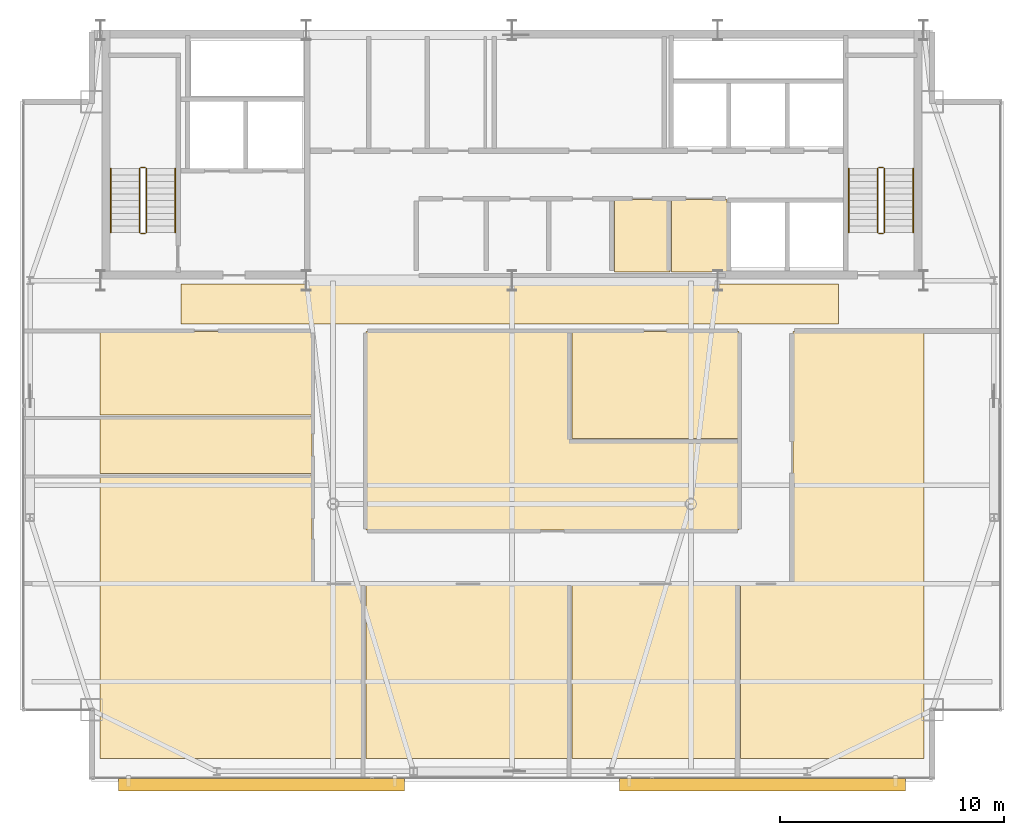
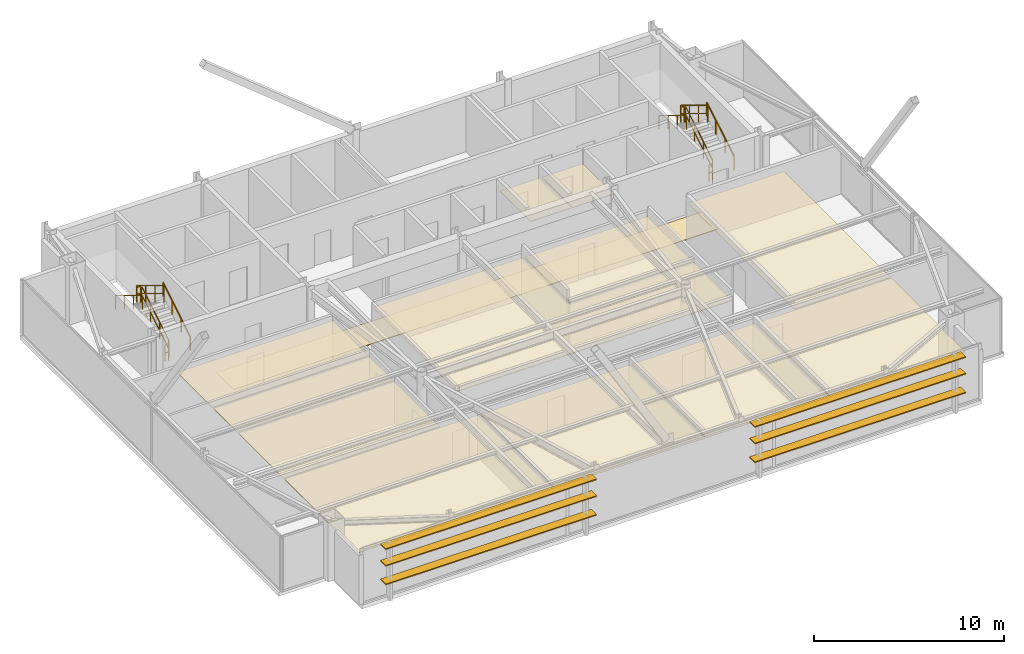
# One storey, part 24 of 24: 13 coverings, 12 railings, 6 shading devices.
"""IFC4 building model written with IfcOpenShell, lengths in metres."""

from ifc_helpers import new_model, si_unit, direction, frame, origin, origin_2d, place, context, subcontext, project, spatial, polyline, rectangle, outline, extrude, source, transform, mapped, material, layer, layer_set, type_object, type_shapes, element, save


model = new_model("IFC4")

# Units and contexts
model_context = context("Model", 3, precision=1e-05, world=origin(), true_north=direction((0.0, 1.0)))
body_context = subcontext(model_context, "Body", "Model", "MODEL_VIEW")
ifc_project = project(units=[si_unit("LENGTHUNIT", "METRE"), si_unit("AREAUNIT", "SQUARE_METRE"), si_unit("VOLUMEUNIT", "CUBIC_METRE"), si_unit("PLANEANGLEUNIT", "RADIAN"), si_unit("MASSUNIT", "GRAM", prefix="KILO")], contexts=[model_context])

# Site, building, storey
site_placement = place(None, origin())
site = spatial("IfcSite", under=ifc_project, at=site_placement, CompositionType="ELEMENT")
building_placement = place(site_placement, origin())
building = spatial("IfcBuilding", under=site, at=building_placement, Name="Varnel Quay Broadcast Tower", CompositionType="ELEMENT")
storey_placement = place(building_placement, frame((0.0, 0.0, 262.199951171875)))
storey = spatial("IfcBuildingStorey", under=building, at=storey_placement, Name="L65", CompositionType="ELEMENT", Elevation=262.199951171875)

# Coverings
ifc_material_1 = material(Name="Micro-Perforated Acoustic Ceiling Tile")
ifc_layer_1 = layer(ifc_material_1, 0.0400390625, Name="Micro-Perforated Acoustic Ceiling Tile")
ifc_layer_set_1 = layer_set([ifc_layer_1], Name="Micro-Perforated Acoustic Ceiling Tile")
covering_type_1 = type_object("IfcCoveringType", Name="Cov_AcousticCeiling", PredefinedType="CEILING", material=ifc_layer_set_1)
covering_1_placement = place(storey_placement, frame((0.0, 0.0, 2.580078125)))
element("IfcCovering", 1, at=covering_1_placement, inside=storey, type_object=covering_type_1, Name="L65 Cleaners' & Linen Store Acoustic Ceiling", PredefinedType="CEILING", context=body_context, shape_type="SweptSolid", body=[
    extrude(outline(polyline([(38.5849609375, 35.985107421875), (41.06494140625, 35.985107421875), (41.06494140625, 39.215087890625), (38.5849609375, 39.215087890625), (38.5849609375, 35.985107421875)])), origin(), (0.0, 0.0, 1.0), 0.0400390625),
])
covering_2_placement = place(storey_placement, frame((0.0, 0.0, 2.580078125)))
element("IfcCovering", 2, at=covering_2_placement, inside=storey, type_object=covering_type_1, Name="L65 Telecom IDF Closet Acoustic Ceiling", PredefinedType="CEILING", context=body_context, shape_type="SweptSolid", body=[
    extrude(outline(polyline([(41.135009765625, 35.985107421875), (43.614990234375, 35.985107421875), (43.614990234375, 39.215087890625), (41.135009765625, 39.215087890625), (41.135009765625, 35.985107421875)])), origin(), (0.0, 0.0, 1.0), 0.0400390625),
])
covering_3_placement = place(storey_placement, frame((0.0, 0.0, 2.580078125)))
element("IfcCovering", 3, at=covering_3_placement, inside=storey, type_object=covering_type_1, Name="L65 Press Briefing Room 1 Acoustic Ceiling", PredefinedType="CEILING", context=body_context, shape_type="SweptSolid", body=[
    extrude(outline(polyline([(15.5849609375, 14.22509765625), (27.405029296875, 14.22509765625), (27.405029296875, 22.014892578125), (15.5849609375, 22.014892578125), (15.5849609375, 14.22509765625)])), origin(), (0.0, 0.0, 1.0), 0.0400390625),
])
covering_4_placement = place(storey_placement, frame((0.0, 0.0, 2.580078125)))
element("IfcCovering", 4, at=covering_4_placement, inside=storey, type_object=covering_type_1, Name="L65 Editorial Huddle Room 2 Acoustic Ceiling", PredefinedType="CEILING", context=body_context, shape_type="SweptSolid", body=[
    extrude(outline(polyline([(27.47509765625, 14.22509765625), (36.60498046875, 14.22509765625), (36.60498046875, 22.014892578125), (27.47509765625, 22.014892578125), (27.47509765625, 14.22509765625)])), origin(), (0.0, 0.0, 1.0), 0.0400390625),
])
covering_5_placement = place(storey_placement, frame((0.0, 0.0, 2.580078125)))
element("IfcCovering", 5, at=covering_5_placement, inside=storey, type_object=covering_type_1, Name="L65 Journalism Training Studio 3 Acoustic Ceiling", PredefinedType="CEILING", context=body_context, shape_type="SweptSolid", body=[
    extrude(outline(polyline([(36.675048828125, 14.22509765625), (44.14501953125, 14.22509765625), (44.14501953125, 22.014892578125), (36.675048828125, 22.014892578125), (36.675048828125, 14.22509765625)])), origin(), (0.0, 0.0, 1.0), 0.0400390625),
])
covering_6_placement = place(storey_placement, frame((0.0, 0.0, 2.580078125)))
element("IfcCovering", 6, at=covering_6_placement, inside=storey, type_object=covering_type_1, Name="L65 Catering Kitchen 4 Acoustic Ceiling", PredefinedType="CEILING", context=body_context, shape_type="SweptSolid", body=[
    extrude(outline(polyline([(44.215087890625, 14.22509765625), (52.4150390625, 14.22509765625), (52.4150390625, 22.014892578125), (44.215087890625, 22.014892578125), (44.215087890625, 14.22509765625)])), origin(), (0.0, 0.0, 1.0), 0.0400390625),
])
covering_7_placement = place(storey_placement, frame((0.0, 0.0, 2.580078125)))
element("IfcCovering", 7, at=covering_7_placement, inside=storey, type_object=covering_type_1, Name="L65 Bureau Office 5 Acoustic Ceiling", PredefinedType="CEILING", context=body_context, shape_type="SweptSolid", body=[
    extrude(outline(polyline([(15.5849609375, 22.0849609375), (25.054931640625, 22.0849609375), (25.054931640625, 26.905029296875), (15.5849609375, 26.905029296875), (15.5849609375, 22.0849609375)])), origin(), (0.0, 0.0, 1.0), 0.0400390625),
])
covering_8_placement = place(storey_placement, frame((0.0, 0.0, 2.580078125)))
element("IfcCovering", 8, at=covering_8_placement, inside=storey, type_object=covering_type_1, Name="L65 Reading Lounge 6 Acoustic Ceiling", PredefinedType="CEILING", context=body_context, shape_type="SweptSolid", body=[
    extrude(outline(polyline([(15.5849609375, 26.97509765625), (25.054931640625, 26.97509765625), (25.054931640625, 29.514892578125), (15.5849609375, 29.514892578125), (15.5849609375, 26.97509765625)])), origin(), (0.0, 0.0, 1.0), 0.0400390625),
])
covering_9_placement = place(storey_placement, frame((0.0, 0.0, 2.580078125)))
element("IfcCovering", 9, at=covering_9_placement, inside=storey, type_object=covering_type_1, Name="L65 Broadcast Seminar Room 7 Acoustic Ceiling", PredefinedType="CEILING", context=body_context, shape_type="SweptSolid", body=[
    extrude(outline(polyline([(15.5849609375, 29.5849609375), (25.054931640625, 29.5849609375), (25.054931640625, 33.31494140625), (15.5849609375, 33.31494140625), (15.5849609375, 29.5849609375)])), origin(), (0.0, 0.0, 1.0), 0.0400390625),
])
covering_10_placement = place(storey_placement, frame((0.0, 0.0, 2.580078125)))
element("IfcCovering", 10, at=covering_10_placement, inside=storey, type_object=covering_type_1, Name="L65 Editorial Huddle Room 8 Acoustic Ceiling", PredefinedType="CEILING", context=body_context, shape_type="SweptSolid", body=[
    extrude(outline(polyline([(27.47509765625, 24.43505859375), (44.14501953125, 24.43505859375), (44.14501953125, 28.465087890625), (36.60498046875, 28.465087890625), (36.60498046875, 33.31494140625), (27.47509765625, 33.31494140625), (27.47509765625, 24.43505859375)])), origin(), (0.0, 0.0, 1.0), 0.0400390625),
])
covering_11_placement = place(storey_placement, frame((0.0, 0.0, 2.580078125)))
element("IfcCovering", 11, at=covering_11_placement, inside=storey, type_object=covering_type_1, Name="L65 Reading Lounge 9 Acoustic Ceiling", PredefinedType="CEILING", context=body_context, shape_type="SweptSolid", body=[
    extrude(outline(polyline([(36.675048828125, 28.534912109375), (44.14501953125, 28.534912109375), (44.14501953125, 33.31494140625), (36.675048828125, 33.31494140625), (36.675048828125, 28.534912109375)])), origin(), (0.0, 0.0, 1.0), 0.0400390625),
])
covering_12_placement = place(storey_placement, frame((0.0, 0.0, 2.580078125)))
element("IfcCovering", 12, at=covering_12_placement, inside=storey, type_object=covering_type_1, Name="L65 Journalism Training Studio 10 Acoustic Ceiling", PredefinedType="CEILING", context=body_context, shape_type="SweptSolid", body=[
    extrude(outline(polyline([(46.56494140625, 22.0849609375), (52.4150390625, 22.0849609375), (52.4150390625, 33.31494140625), (46.56494140625, 33.31494140625), (46.56494140625, 22.0849609375)])), origin(), (0.0, 0.0, 1.0), 0.0400390625),
])
ifc_material_2 = material(Name="Polished Terrazzo & Broadcast Raised Flooring")
ifc_layer_2 = layer(ifc_material_2, 0.0400390625, Name="Polished Terrazzo & Broadcast Raised Flooring")
ifc_layer_set_2 = layer_set([ifc_layer_2], Name="Polished Terrazzo & Broadcast Raised Flooring")
covering_type_2 = type_object("IfcCoveringType", Name="Cov_TerrazzoFloor", PredefinedType="FLOORING", material=ifc_layer_set_2)
covering_13_placement = place(storey_placement, origin())
element("IfcCovering", 13, at=covering_13_placement, inside=storey, type_object=covering_type_2, Name="L65 Corridor Terrazzo Flooring", PredefinedType="FLOORING", context=body_context, shape_type="SweptSolid", body=[
    extrude(outline(polyline([(19.199951171875, 33.64990234375), (48.60009765625, 33.64990234375), (48.60009765625, 35.449951171875), (19.199951171875, 35.449951171875), (19.199951171875, 33.64990234375)])), origin(), (0.0, 0.0, 1.0), 0.0400390625),
])

# Railings
ifc_material_3 = material(Name="Painted Steel Guard and Handrail CSA G40.21 350W", Category="steel")
railing_type_1 = type_object("IfcRailingType", Name="Rail_StairGuard1100", PredefinedType="GUARDRAIL", material=ifc_material_3)
railing_1_placement = place(storey_placement, frame((17.64990234375, 37.75, 0.1728515625)))
element("IfcRailing", 14, at=railing_1_placement, inside=storey, type_object=railing_type_1, Name="L65 ST-01 stair guard 1", PredefinedType="GUARDRAIL", context=body_context, shape_type="SweptSolid", body=[
    extrude(rectangle(XDim=0.048095703125, YDim=0.048095703125, at=origin_2d()), frame((0.0, 0.0, 1.076171875), z_axis=(0.0, 0.855202751398, 0.518293598264), x_axis=(-1.0, 0.0, 0.0)), (0.0, 0.0, 1.0), 3.332763671875),
    extrude(rectangle(XDim=0.048095703125, YDim=0.048095703125, at=origin_2d()), frame((0.0, 0.0, 0.550048828125), z_axis=(0.0, 0.855202751398, 0.518293598264), x_axis=(-1.0, 0.0, 0.0)), (0.0, 0.0, 1.0), 3.332763671875),
    extrude(rectangle(XDim=0.0419921875, YDim=0.0419921875, at=origin_2d()), origin(), (0.0, 0.0, 1.0), 1.052001953125),
    extrude(rectangle(XDim=0.0419921875, YDim=0.0419921875, at=origin_2d()), frame((0.0, 0.949951171875, 0.57568359375)), (0.0, 0.0, 1.0), 1.052001953125),
    extrude(rectangle(XDim=0.0419921875, YDim=0.0419921875, at=origin_2d()), frame((0.0, 1.900146484375, 1.151611328125)), (0.0, 0.0, 1.0), 1.052001953125),
    extrude(rectangle(XDim=0.0419921875, YDim=0.0419921875, at=origin_2d()), frame((0.0, 2.85009765625, 1.727294921875)), (0.0, 0.0, 1.0), 1.052001953125),
])
railing_2_placement = place(storey_placement, frame((17.60009765625, 40.64990234375, 1.900146484375)))
element("IfcRailing", 15, at=railing_2_placement, inside=storey, type_object=railing_type_1, Name="L65 ST-01 stair guard 2", PredefinedType="GUARDRAIL", context=body_context, shape_type="SweptSolid", body=[
    extrude(rectangle(XDim=0.048095703125, YDim=0.048095703125, at=origin_2d()), frame((0.0, 0.0, 1.076171875), z_axis=(-1.0, 0.0, 0.0), x_axis=(0.0, -1.0, 0.0)), (0.0, 0.0, 1.0), 0.2001953125),
    extrude(rectangle(XDim=0.048095703125, YDim=0.048095703125, at=origin_2d()), frame((0.0, 0.0, 0.550048828125), z_axis=(-1.0, 0.0, 0.0), x_axis=(0.0, -1.0, 0.0)), (0.0, 0.0, 1.0), 0.2001953125),
    extrude(rectangle(XDim=0.0419921875, YDim=0.0419921875, at=origin_2d()), origin(), (0.0, 0.0, 1.0), 1.052001953125),
    extrude(rectangle(XDim=0.0419921875, YDim=0.0419921875, at=origin_2d()), frame((-0.2001953125, 0.0, 0.0)), (0.0, 0.0, 1.0), 1.052001953125),
])
railing_3_placement = place(storey_placement, frame((17.35009765625, 40.60009765625, 2.07275390625)))
element("IfcRailing", 16, at=railing_3_placement, inside=storey, type_object=railing_type_1, Name="L65 ST-01 stair guard 3", PredefinedType="GUARDRAIL", context=body_context, shape_type="SweptSolid", body=[
    extrude(rectangle(XDim=0.048095703125, YDim=0.048095703125, at=origin_2d()), frame((0.0, 0.0, 1.076171875), z_axis=(0.0, -0.855202751398, 0.518293598264), x_axis=(1.0, 0.0, 0.0)), (0.0, 0.0, 1.0), 3.332763671875),
    extrude(rectangle(XDim=0.048095703125, YDim=0.048095703125, at=origin_2d()), frame((0.0, 0.0, 0.550048828125), z_axis=(0.0, -0.855202751398, 0.518293598264), x_axis=(1.0, 0.0, 0.0)), (0.0, 0.0, 1.0), 3.332763671875),
    extrude(rectangle(XDim=0.0419921875, YDim=0.0419921875, at=origin_2d()), origin(), (0.0, 0.0, 1.0), 1.052001953125),
    extrude(rectangle(XDim=0.0419921875, YDim=0.0419921875, at=origin_2d()), frame((0.0, -0.949951171875, 0.57568359375)), (0.0, 0.0, 1.0), 1.052001953125),
    extrude(rectangle(XDim=0.0419921875, YDim=0.0419921875, at=origin_2d()), frame((0.0, -1.900146484375, 1.151611328125)), (0.0, 0.0, 1.0), 1.052001953125),
    extrude(rectangle(XDim=0.0419921875, YDim=0.0419921875, at=origin_2d()), frame((0.0, -2.85009765625, 1.727294921875)), (0.0, 0.0, 1.0), 1.052001953125),
])
railing_4_placement = place(storey_placement, frame((17.60009765625, 37.699951171875, 0.0)))
element("IfcRailing", 17, at=railing_4_placement, inside=storey, type_object=railing_type_1, Name="L65 ST-01 stair guard 4", PredefinedType="GUARDRAIL", context=body_context, shape_type="SweptSolid", body=[
    extrude(rectangle(XDim=0.048095703125, YDim=0.048095703125, at=origin_2d()), frame((0.0, 0.0, 1.076171875), z_axis=(-1.0, 0.0, 0.0), x_axis=(0.0, -1.0, 0.0)), (0.0, 0.0, 1.0), 0.2001953125),
    extrude(rectangle(XDim=0.048095703125, YDim=0.048095703125, at=origin_2d()), frame((0.0, 0.0, 0.550048828125), z_axis=(-1.0, 0.0, 0.0), x_axis=(0.0, -1.0, 0.0)), (0.0, 0.0, 1.0), 0.2001953125),
    extrude(rectangle(XDim=0.0419921875, YDim=0.0419921875, at=origin_2d()), origin(), (0.0, 0.0, 1.0), 1.052001953125),
    extrude(rectangle(XDim=0.0419921875, YDim=0.0419921875, at=origin_2d()), frame((-0.2001953125, 0.0, 0.0)), (0.0, 0.0, 1.0), 1.052001953125),
])
railing_5_placement = place(storey_placement, frame((50.64990234375, 37.75, 0.1728515625)))
element("IfcRailing", 18, at=railing_5_placement, inside=storey, type_object=railing_type_1, Name="L65 ST-02 stair guard 1", PredefinedType="GUARDRAIL", context=body_context, shape_type="SweptSolid", body=[
    extrude(rectangle(XDim=0.048095703125, YDim=0.048095703125, at=origin_2d()), frame((0.0, 0.0, 1.076171875), z_axis=(0.0, 0.855202751398, 0.518293598264), x_axis=(-1.0, 0.0, 0.0)), (0.0, 0.0, 1.0), 3.332763671875),
    extrude(rectangle(XDim=0.048095703125, YDim=0.048095703125, at=origin_2d()), frame((0.0, 0.0, 0.550048828125), z_axis=(0.0, 0.855202751398, 0.518293598264), x_axis=(-1.0, 0.0, 0.0)), (0.0, 0.0, 1.0), 3.332763671875),
    extrude(rectangle(XDim=0.0419921875, YDim=0.0419921875, at=origin_2d()), origin(), (0.0, 0.0, 1.0), 1.052001953125),
    extrude(rectangle(XDim=0.0419921875, YDim=0.0419921875, at=origin_2d()), frame((0.0, 0.949951171875, 0.57568359375)), (0.0, 0.0, 1.0), 1.052001953125),
    extrude(rectangle(XDim=0.0419921875, YDim=0.0419921875, at=origin_2d()), frame((0.0, 1.900146484375, 1.151611328125)), (0.0, 0.0, 1.0), 1.052001953125),
    extrude(rectangle(XDim=0.0419921875, YDim=0.0419921875, at=origin_2d()), frame((0.0, 2.85009765625, 1.727294921875)), (0.0, 0.0, 1.0), 1.052001953125),
])
railing_6_placement = place(storey_placement, frame((50.60009765625, 40.64990234375, 1.900146484375)))
element("IfcRailing", 19, at=railing_6_placement, inside=storey, type_object=railing_type_1, Name="L65 ST-02 stair guard 2", PredefinedType="GUARDRAIL", context=body_context, shape_type="SweptSolid", body=[
    extrude(rectangle(XDim=0.048095703125, YDim=0.048095703125, at=origin_2d()), frame((0.0, 0.0, 1.076171875), z_axis=(-1.0, 0.0, 0.0), x_axis=(0.0, -1.0, 0.0)), (0.0, 0.0, 1.0), 0.2001953125),
    extrude(rectangle(XDim=0.048095703125, YDim=0.048095703125, at=origin_2d()), frame((0.0, 0.0, 0.550048828125), z_axis=(-1.0, 0.0, 0.0), x_axis=(0.0, -1.0, 0.0)), (0.0, 0.0, 1.0), 0.2001953125),
    extrude(rectangle(XDim=0.0419921875, YDim=0.0419921875, at=origin_2d()), origin(), (0.0, 0.0, 1.0), 1.052001953125),
    extrude(rectangle(XDim=0.0419921875, YDim=0.0419921875, at=origin_2d()), frame((-0.2001953125, 0.0, 0.0)), (0.0, 0.0, 1.0), 1.052001953125),
])
railing_7_placement = place(storey_placement, frame((50.35009765625, 40.60009765625, 2.07275390625)))
element("IfcRailing", 20, at=railing_7_placement, inside=storey, type_object=railing_type_1, Name="L65 ST-02 stair guard 3", PredefinedType="GUARDRAIL", context=body_context, shape_type="SweptSolid", body=[
    extrude(rectangle(XDim=0.048095703125, YDim=0.048095703125, at=origin_2d()), frame((0.0, 0.0, 1.076171875), z_axis=(0.0, -0.855202751398, 0.518293598264), x_axis=(1.0, 0.0, 0.0)), (0.0, 0.0, 1.0), 3.332763671875),
    extrude(rectangle(XDim=0.048095703125, YDim=0.048095703125, at=origin_2d()), frame((0.0, 0.0, 0.550048828125), z_axis=(0.0, -0.855202751398, 0.518293598264), x_axis=(1.0, 0.0, 0.0)), (0.0, 0.0, 1.0), 3.332763671875),
    extrude(rectangle(XDim=0.0419921875, YDim=0.0419921875, at=origin_2d()), origin(), (0.0, 0.0, 1.0), 1.052001953125),
    extrude(rectangle(XDim=0.0419921875, YDim=0.0419921875, at=origin_2d()), frame((0.0, -0.949951171875, 0.57568359375)), (0.0, 0.0, 1.0), 1.052001953125),
    extrude(rectangle(XDim=0.0419921875, YDim=0.0419921875, at=origin_2d()), frame((0.0, -1.900146484375, 1.151611328125)), (0.0, 0.0, 1.0), 1.052001953125),
    extrude(rectangle(XDim=0.0419921875, YDim=0.0419921875, at=origin_2d()), frame((0.0, -2.85009765625, 1.727294921875)), (0.0, 0.0, 1.0), 1.052001953125),
])
railing_8_placement = place(storey_placement, frame((50.60009765625, 37.699951171875, 0.0)))
element("IfcRailing", 21, at=railing_8_placement, inside=storey, type_object=railing_type_1, Name="L65 ST-02 stair guard 4", PredefinedType="GUARDRAIL", context=body_context, shape_type="SweptSolid", body=[
    extrude(rectangle(XDim=0.048095703125, YDim=0.048095703125, at=origin_2d()), frame((0.0, 0.0, 1.076171875), z_axis=(-1.0, 0.0, 0.0), x_axis=(0.0, -1.0, 0.0)), (0.0, 0.0, 1.0), 0.2001953125),
    extrude(rectangle(XDim=0.048095703125, YDim=0.048095703125, at=origin_2d()), frame((0.0, 0.0, 0.550048828125), z_axis=(-1.0, 0.0, 0.0), x_axis=(0.0, -1.0, 0.0)), (0.0, 0.0, 1.0), 0.2001953125),
    extrude(rectangle(XDim=0.0419921875, YDim=0.0419921875, at=origin_2d()), origin(), (0.0, 0.0, 1.0), 1.052001953125),
    extrude(rectangle(XDim=0.0419921875, YDim=0.0419921875, at=origin_2d()), frame((-0.2001953125, 0.0, 0.0)), (0.0, 0.0, 1.0), 1.052001953125),
])
railing_type_2 = type_object("IfcRailingType", Name="Rail_StairHandrail900", PredefinedType="HANDRAIL", material=ifc_material_3)
railing_9_placement = place(storey_placement, frame((18.949951171875, 37.75, 0.1728515625)))
element("IfcRailing", 22, at=railing_9_placement, inside=storey, type_object=railing_type_2, Name="L65 ST-01 stair handrail 1", PredefinedType="HANDRAIL", context=body_context, shape_type="SweptSolid", body=[
    extrude(rectangle(XDim=0.048095703125, YDim=0.048095703125, at=origin_2d()), frame((0.0, 0.0, 0.8759765625), z_axis=(0.0, 0.855202751398, 0.518293598264), x_axis=(-1.0, 0.0, 0.0)), (0.0, 0.0, 1.0), 3.332763671875),
    extrude(rectangle(XDim=0.0419921875, YDim=0.0419921875, at=origin_2d()), origin(), (0.0, 0.0, 1.0), 0.851806640625),
    extrude(rectangle(XDim=0.0419921875, YDim=0.0419921875, at=origin_2d()), frame((0.0, 0.949951171875, 0.57568359375)), (0.0, 0.0, 1.0), 0.851806640625),
    extrude(rectangle(XDim=0.0419921875, YDim=0.0419921875, at=origin_2d()), frame((0.0, 1.900146484375, 1.151611328125)), (0.0, 0.0, 1.0), 0.851806640625),
    extrude(rectangle(XDim=0.0419921875, YDim=0.0419921875, at=origin_2d()), frame((0.0, 2.85009765625, 1.727294921875)), (0.0, 0.0, 1.0), 0.851806640625),
])
railing_10_placement = place(storey_placement, frame((16.050048828125, 40.60009765625, 2.07275390625)))
element("IfcRailing", 23, at=railing_10_placement, inside=storey, type_object=railing_type_2, Name="L65 ST-01 stair handrail 2", PredefinedType="HANDRAIL", context=body_context, shape_type="SweptSolid", body=[
    extrude(rectangle(XDim=0.048095703125, YDim=0.048095703125, at=origin_2d()), frame((0.0, 0.0, 0.8759765625), z_axis=(0.0, -0.855202751398, 0.518293598264), x_axis=(1.0, 0.0, 0.0)), (0.0, 0.0, 1.0), 3.332763671875),
    extrude(rectangle(XDim=0.0419921875, YDim=0.0419921875, at=origin_2d()), origin(), (0.0, 0.0, 1.0), 0.851806640625),
    extrude(rectangle(XDim=0.0419921875, YDim=0.0419921875, at=origin_2d()), frame((0.0, -0.949951171875, 0.57568359375)), (0.0, 0.0, 1.0), 0.851806640625),
    extrude(rectangle(XDim=0.0419921875, YDim=0.0419921875, at=origin_2d()), frame((0.0, -1.900146484375, 1.151611328125)), (0.0, 0.0, 1.0), 0.851806640625),
    extrude(rectangle(XDim=0.0419921875, YDim=0.0419921875, at=origin_2d()), frame((0.0, -2.85009765625, 1.727294921875)), (0.0, 0.0, 1.0), 0.851806640625),
])
railing_11_placement = place(storey_placement, frame((51.949951171875, 37.75, 0.1728515625)))
element("IfcRailing", 24, at=railing_11_placement, inside=storey, type_object=railing_type_2, Name="L65 ST-02 stair handrail 1", PredefinedType="HANDRAIL", context=body_context, shape_type="SweptSolid", body=[
    extrude(rectangle(XDim=0.048095703125, YDim=0.048095703125, at=origin_2d()), frame((0.0, 0.0, 0.8759765625), z_axis=(0.0, 0.855202751398, 0.518293598264), x_axis=(-1.0, 0.0, 0.0)), (0.0, 0.0, 1.0), 3.332763671875),
    extrude(rectangle(XDim=0.0419921875, YDim=0.0419921875, at=origin_2d()), origin(), (0.0, 0.0, 1.0), 0.851806640625),
    extrude(rectangle(XDim=0.0419921875, YDim=0.0419921875, at=origin_2d()), frame((0.0, 0.949951171875, 0.57568359375)), (0.0, 0.0, 1.0), 0.851806640625),
    extrude(rectangle(XDim=0.0419921875, YDim=0.0419921875, at=origin_2d()), frame((0.0, 1.900146484375, 1.151611328125)), (0.0, 0.0, 1.0), 0.851806640625),
    extrude(rectangle(XDim=0.0419921875, YDim=0.0419921875, at=origin_2d()), frame((0.0, 2.85009765625, 1.727294921875)), (0.0, 0.0, 1.0), 0.851806640625),
])
railing_12_placement = place(storey_placement, frame((49.050048828125, 40.60009765625, 2.07275390625)))
element("IfcRailing", 25, at=railing_12_placement, inside=storey, type_object=railing_type_2, Name="L65 ST-02 stair handrail 2", PredefinedType="HANDRAIL", context=body_context, shape_type="SweptSolid", body=[
    extrude(rectangle(XDim=0.048095703125, YDim=0.048095703125, at=origin_2d()), frame((0.0, 0.0, 0.8759765625), z_axis=(0.0, -0.855202751398, 0.518293598264), x_axis=(1.0, 0.0, 0.0)), (0.0, 0.0, 1.0), 3.332763671875),
    extrude(rectangle(XDim=0.0419921875, YDim=0.0419921875, at=origin_2d()), origin(), (0.0, 0.0, 1.0), 0.851806640625),
    extrude(rectangle(XDim=0.0419921875, YDim=0.0419921875, at=origin_2d()), frame((0.0, -0.949951171875, 0.57568359375)), (0.0, 0.0, 1.0), 0.851806640625),
    extrude(rectangle(XDim=0.0419921875, YDim=0.0419921875, at=origin_2d()), frame((0.0, -1.900146484375, 1.151611328125)), (0.0, 0.0, 1.0), 0.851806640625),
    extrude(rectangle(XDim=0.0419921875, YDim=0.0419921875, at=origin_2d()), frame((0.0, -2.85009765625, 1.727294921875)), (0.0, 0.0, 1.0), 0.851806640625),
])

# Shading devices
ifc_material_4 = material(Name="Bronze-Terracotta Extruded Ceramic Blade", Category="masonry")
ifc_layer_3 = layer(ifc_material_4, 0.06494140625, Name="Bronze-Terracotta Extruded Ceramic Blade")
ifc_layer_set_3 = layer_set([ifc_layer_3], Name="Bronze-Terracotta Extruded Ceramic Blade")
shading_device_type = type_object("IfcShadingDeviceType", Name="Shade_LouvreBlade550", PredefinedType="JALOUSIE", material=ifc_layer_set_3)
shared_shape = source(origin(), body_context, "Body", "SweptSolid", [
    extrude(rectangle(XDim=12.800048828125, YDim=0.550048828125, at=origin_2d()), origin(), (0.0, 0.0, 1.0), 0.06494140625),
])
type_shapes(shading_device_type, [shared_shape])
for number, where, z_axis, x_axis, name in (
    (26, (22.800048828125, 13.06005859375, 1.11767578125), (0.0, 0.0, 1.0), (1.0, 0.0, 0.0), "L65 Lobe 1 Horizontal Louvre Blade 1"),
    (27, (22.800048828125, 13.06005859375, 2.317626953125), (0.0, 0.0, 1.0), (1.0, 0.0, 0.0), "L65 Lobe 1 Horizontal Louvre Blade 2"),
    (28, (22.800048828125, 13.06005859375, 3.3876953125), (0.0, 0.0, 1.0), (1.0, 0.0, 0.0), "L65 Lobe 1 Horizontal Louvre Blade 3"),
    (29, (45.199951171875, 13.06005859375, 1.11767578125), (0.0, 0.0, 1.0), (1.0, 0.0, 0.0), "L65 Lobe 2 Horizontal Louvre Blade 1"),
    (30, (45.199951171875, 13.06005859375, 2.317626953125), (0.0, 0.0, 1.0), (1.0, 0.0, 0.0), "L65 Lobe 2 Horizontal Louvre Blade 2"),
    (31, (45.199951171875, 13.06005859375, 3.3876953125), (0.0, 0.0, 1.0), (1.0, 0.0, 0.0), "L65 Lobe 2 Horizontal Louvre Blade 3"),
):
    element("IfcShadingDevice", number, at=place(storey_placement, frame(where, z_axis=z_axis, x_axis=x_axis)), inside=storey, type_object=shading_device_type, Name=name, PredefinedType="JALOUSIE", context=body_context, shape_type="MappedRepresentation", body=[
        mapped(shared_shape, transform((0.0, 0.0, 0.0), x_axis=(1.0, 0.0, 0.0), y_axis=(0.0, 1.0, 0.0), z_axis=(0.0, 0.0, 1.0), scale=1.0)),
    ])

save(model, "model.ifc")
